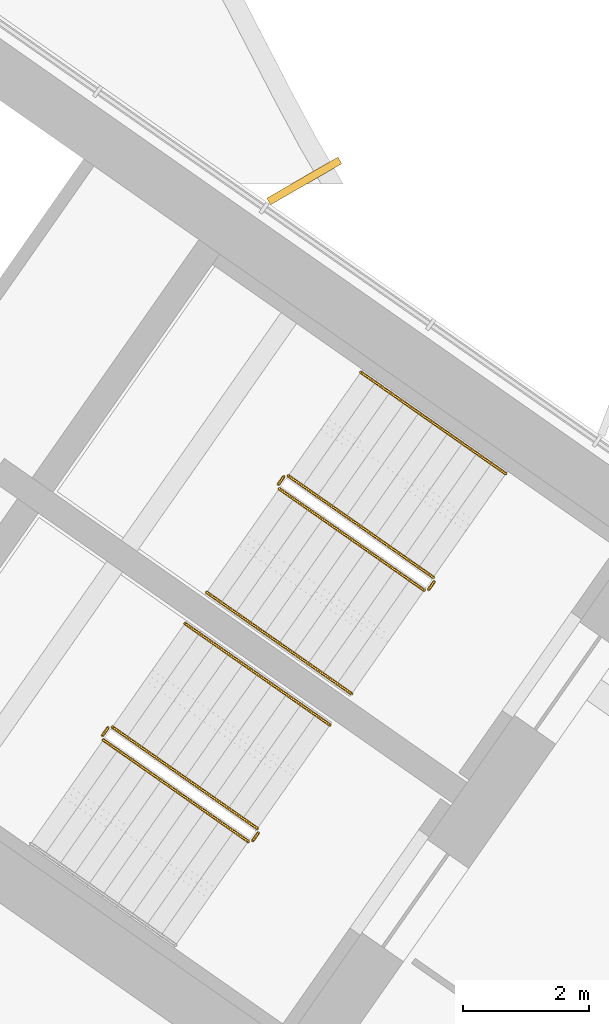
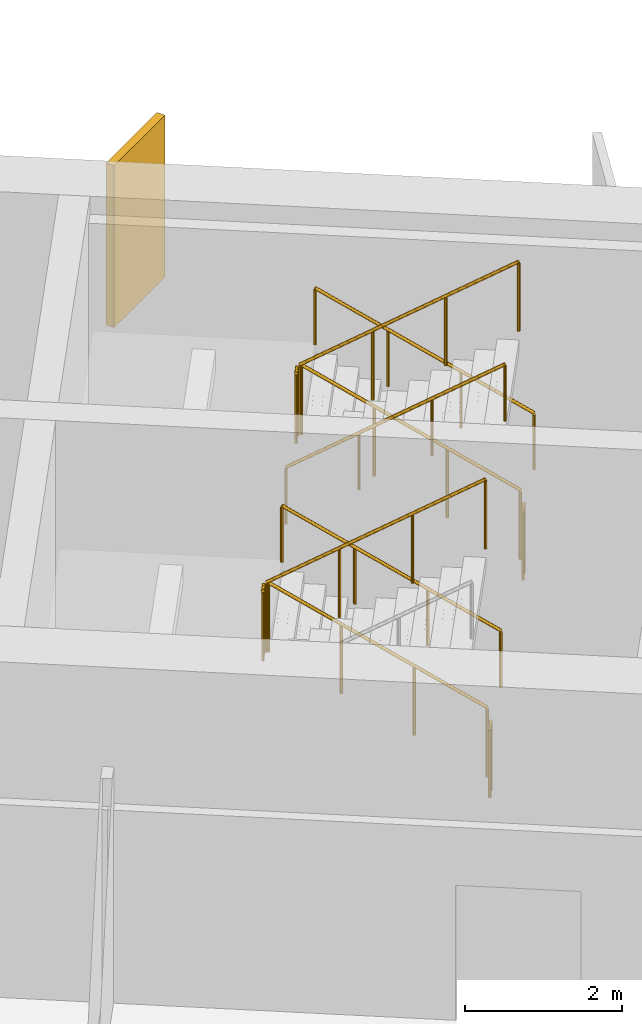
# One storey, part 22 of 23: 11 railings, 1 shading device.
"""IFC4 building model written with IfcOpenShell, lengths in metres."""

from ifc_helpers import new_model, si_unit, direction, frame, origin, origin_2d, place, context, subcontext, project, spatial, rectangle, circle, extrude, material, layer, layer_set, type_object, element, save


model = new_model("IFC4")

# Units and contexts
model_context = context("Model", 3, precision=1e-05, world=origin(), true_north=direction((0.0, 1.0)))
body_context = subcontext(model_context, "Body", "Model", "MODEL_VIEW")
ifc_project = project(units=[si_unit("LENGTHUNIT", "METRE"), si_unit("AREAUNIT", "SQUARE_METRE"), si_unit("VOLUMEUNIT", "CUBIC_METRE"), si_unit("PLANEANGLEUNIT", "RADIAN"), si_unit("MASSUNIT", "GRAM", prefix="KILO")], contexts=[model_context])

# Site, building, storey
site_placement = place(None, origin())
site = spatial("IfcSite", under=ifc_project, at=site_placement, CompositionType="ELEMENT")
building_placement = place(site_placement, origin())
building = spatial("IfcBuilding", under=site, at=building_placement, Name="Tel Ilan Convention Tower", CompositionType="ELEMENT")
storey_placement = place(building_placement, frame((0.0, 0.0, 198.300048828125)))
storey = spatial("IfcBuildingStorey", under=building, at=storey_placement, Name="L46", CompositionType="ELEMENT", Elevation=198.300048828125)

# Shading device
ifc_material_1 = material(Name="Aluminium, bronze anodised", Category="aluminium")
ifc_layer = layer(ifc_material_1, 0.1201171875)
ifc_layer_set = layer_set([ifc_layer], Name="FIN BRONZE 1300x120")
shading_device_type = type_object("IfcShadingDeviceType", Name="FIN BRONZE 1300x120", PredefinedType="USERDEFINED", material=ifc_layer_set)
shading_device_placement = place(storey_placement, frame((21.63818359375, -1.58349609375, 1.099853515625), z_axis=(0.0, 0.0, 1.0), x_axis=(0.866025403784, 0.5, 0.0)))
element("IfcShadingDevice", 1, at=shading_device_placement, inside=storey, type_object=shading_device_type, Name="FIN", ObjectType="FIN", PredefinedType="USERDEFINED", context=body_context, shape_type="SweptSolid", body=[
    extrude(rectangle(XDim=1.300048828125, YDim=0.1201171875, at=origin_2d()), origin(), (0.0, 0.0, 1.0), 2.52001953125),
])

# Railings
ifc_material_2 = material(Name="Stainless Steel Grade 316", Category="steel")
railing_type_1 = type_object("IfcRailingType", Name="Stainless Steel Stair Guard 1100 mm", PredefinedType="GUARDRAIL", material=ifc_material_2)
railing_1_placement = place(storey_placement, frame((23.6787109375, -7.8515625, 0.17724609375)))
element("IfcRailing", 2, at=railing_1_placement, inside=storey, type_object=railing_type_1, Name="L46 S3 stair guard 1", PredefinedType="GUARDRAIL", context=body_context, shape_type="SweptSolid", body=[
    extrude(circle(Radius=0.02392578125, at=origin_2d()), frame((0.0, 0.0, 1.076171875), z_axis=(-0.692084706163, 0.484621375041, 0.534940073605), x_axis=(-0.573591086599, -0.819141785879, 0.0)), (0.0, 0.0, 1.0), 3.313720703125),
    extrude(circle(Radius=0.02099609375, at=origin_2d()), origin(), (0.0, 0.0, 1.0), 1.052001953125),
    extrude(circle(Radius=0.02099609375, at=origin_2d()), frame((-0.764404296875, 0.535400390625, 0.5908203125)), (0.0, 0.0, 1.0), 1.052001953125),
    extrude(circle(Radius=0.02099609375, at=origin_2d()), frame((-1.529052734375, 1.070556640625, 1.181884765625)), (0.0, 0.0, 1.0), 1.052001953125),
    extrude(circle(Radius=0.02099609375, at=origin_2d()), frame((-2.29345703125, 1.60595703125, 1.772705078125)), (0.0, 0.0, 1.0), 1.052001953125),
])
railing_2_placement = place(storey_placement, frame((21.3154296875, -6.2578125, 1.949951171875)))
element("IfcRailing", 3, at=railing_2_placement, inside=storey, type_object=railing_type_1, Name="L46 S3 stair guard 2", PredefinedType="GUARDRAIL", context=body_context, shape_type="SweptSolid", body=[
    extrude(circle(Radius=0.02392578125, at=origin_2d()), frame((0.0, 0.0, 1.076171875), z_axis=(-0.573353020881, -0.819308436089, 0.0), x_axis=(0.819308436089, -0.573353020881, 0.0)), (0.0, 0.0, 1.0), 0.14990234375),
    extrude(circle(Radius=0.02099609375, at=origin_2d()), origin(), (0.0, 0.0, 1.0), 1.052001953125),
    extrude(circle(Radius=0.02099609375, at=origin_2d()), frame((-0.0859375, -0.122802734375, 0.0)), (0.0, 0.0, 1.0), 1.052001953125),
])
railing_3_placement = place(storey_placement, frame((21.24169921875, -6.4501953125, 2.127197265625)))
element("IfcRailing", 4, at=railing_3_placement, inside=storey, type_object=railing_type_1, Name="L46 S3 stair guard 3", PredefinedType="GUARDRAIL", context=body_context, shape_type="SweptSolid", body=[
    extrude(circle(Radius=0.02392578125, at=origin_2d()), frame((0.0, 0.0, 1.076171875), z_axis=(0.692098378994, -0.484653031975, 0.534893701956), x_axis=(0.573608623498, 0.819129505664, 0.0)), (0.0, 0.0, 1.0), 3.314208984375),
    extrude(circle(Radius=0.02099609375, at=origin_2d()), origin(), (0.0, 0.0, 1.0), 1.052001953125),
    extrude(circle(Radius=0.02099609375, at=origin_2d()), frame((0.7646484375, -0.535400390625, 0.5908203125)), (0.0, 0.0, 1.0), 1.052001953125),
    extrude(circle(Radius=0.02099609375, at=origin_2d()), frame((1.529052734375, -1.07080078125, 1.181884765625)), (0.0, 0.0, 1.0), 1.052001953125),
    extrude(circle(Radius=0.02099609375, at=origin_2d()), frame((2.293701171875, -1.606201171875, 1.772705078125)), (0.0, 0.0, 1.0), 1.052001953125),
])
railing_4_placement = place(storey_placement, frame((23.691162109375, -7.921142578125, 0.0)))
element("IfcRailing", 5, at=railing_4_placement, inside=storey, type_object=railing_type_1, Name="L46 S3 stair guard 4", PredefinedType="GUARDRAIL", context=body_context, shape_type="SweptSolid", body=[
    extrude(circle(Radius=0.02392578125, at=origin_2d()), frame((0.0, 0.0, 1.076171875), z_axis=(-0.574444878118, -0.818543268254, 0.0), x_axis=(0.818543268254, -0.574444878118, 0.0)), (0.0, 0.0, 1.0), 0.150146484375),
    extrude(circle(Radius=0.02099609375, at=origin_2d()), origin(), (0.0, 0.0, 1.0), 1.052001953125),
    extrude(circle(Radius=0.02099609375, at=origin_2d()), frame((-0.086181640625, -0.122802734375, 0.0)), (0.0, 0.0, 1.0), 1.052001953125),
])
railing_5_placement = place(storey_placement, frame((20.89697265625, -11.824462890625, 0.17724609375)))
element("IfcRailing", 6, at=railing_5_placement, inside=storey, type_object=railing_type_1, Name="L46 S4 stair guard 1", PredefinedType="GUARDRAIL", context=body_context, shape_type="SweptSolid", body=[
    extrude(circle(Radius=0.02392578125, at=origin_2d()), frame((0.0, 0.0, 1.076171875), z_axis=(-0.692123088272, 0.484596665743, 0.534912798717), x_axis=(-0.573550118428, -0.819170471667, 0.0)), (0.0, 0.0, 1.0), 3.31396484375),
    extrude(circle(Radius=0.02099609375, at=origin_2d()), origin(), (0.0, 0.0, 1.0), 1.052001953125),
    extrude(circle(Radius=0.02099609375, at=origin_2d()), frame((-0.7646484375, 0.535400390625, 0.5908203125)), (0.0, 0.0, 1.0), 1.052001953125),
    extrude(circle(Radius=0.02099609375, at=origin_2d()), frame((-1.529052734375, 1.070556640625, 1.181884765625)), (0.0, 0.0, 1.0), 1.052001953125),
    extrude(circle(Radius=0.02099609375, at=origin_2d()), frame((-2.293701171875, 1.60595703125, 1.772705078125)), (0.0, 0.0, 1.0), 1.052001953125),
])
railing_6_placement = place(storey_placement, frame((18.53369140625, -10.230712890625, 1.949951171875)))
element("IfcRailing", 7, at=railing_6_placement, inside=storey, type_object=railing_type_1, Name="L46 S4 stair guard 2", PredefinedType="GUARDRAIL", context=body_context, shape_type="SweptSolid", body=[
    extrude(circle(Radius=0.02392578125, at=origin_2d()), frame((0.0, 0.0, 1.076171875), z_axis=(-0.573353020881, -0.819308436089, 0.0), x_axis=(0.819308436089, -0.573353020881, 0.0)), (0.0, 0.0, 1.0), 0.14990234375),
    extrude(circle(Radius=0.02099609375, at=origin_2d()), origin(), (0.0, 0.0, 1.0), 1.052001953125),
    extrude(circle(Radius=0.02099609375, at=origin_2d()), frame((-0.0859375, -0.122802734375, 0.0)), (0.0, 0.0, 1.0), 1.052001953125),
])
railing_7_placement = place(storey_placement, frame((18.4599609375, -10.423095703125, 2.127197265625)))
element("IfcRailing", 8, at=railing_7_placement, inside=storey, type_object=railing_type_1, Name="L46 S4 stair guard 3", PredefinedType="GUARDRAIL", context=body_context, shape_type="SweptSolid", body=[
    extrude(circle(Radius=0.02392578125, at=origin_2d()), frame((0.0, 0.0, 1.076171875), z_axis=(0.692098378994, -0.484653031975, 0.534893701956), x_axis=(0.573608623498, 0.819129505664, 0.0)), (0.0, 0.0, 1.0), 3.314208984375),
    extrude(circle(Radius=0.02099609375, at=origin_2d()), origin(), (0.0, 0.0, 1.0), 1.052001953125),
    extrude(circle(Radius=0.02099609375, at=origin_2d()), frame((0.7646484375, -0.535400390625, 0.5908203125)), (0.0, 0.0, 1.0), 1.052001953125),
    extrude(circle(Radius=0.02099609375, at=origin_2d()), frame((1.529052734375, -1.07080078125, 1.181884765625)), (0.0, 0.0, 1.0), 1.052001953125),
    extrude(circle(Radius=0.02099609375, at=origin_2d()), frame((2.293701171875, -1.606201171875, 1.772705078125)), (0.0, 0.0, 1.0), 1.052001953125),
])
railing_8_placement = place(storey_placement, frame((20.9091796875, -11.89404296875, 0.0)))
element("IfcRailing", 9, at=railing_8_placement, inside=storey, type_object=railing_type_1, Name="L46 S4 stair guard 4", PredefinedType="GUARDRAIL", context=body_context, shape_type="SweptSolid", body=[
    extrude(circle(Radius=0.02392578125, at=origin_2d()), frame((0.0, 0.0, 1.076171875), z_axis=(-0.573353020881, -0.819308436089, 0.0), x_axis=(0.819308436089, -0.573353020881, 0.0)), (0.0, 0.0, 1.0), 0.14990234375),
    extrude(circle(Radius=0.02099609375, at=origin_2d()), origin(), (0.0, 0.0, 1.0), 1.052001953125),
    extrude(circle(Radius=0.02099609375, at=origin_2d()), frame((-0.0859375, -0.122802734375, 0.0)), (0.0, 0.0, 1.0), 1.052001953125),
])
ifc_material_3 = material(Name="Stainless Steel Grade 316", Category="steel")
railing_type_2 = type_object("IfcRailingType", Name="Stainless Steel Stair Handrail 900 mm", PredefinedType="HANDRAIL", material=ifc_material_3)
railing_9_placement = place(storey_placement, frame((24.825927734375, -6.213134765625, 0.17724609375)))
element("IfcRailing", 10, at=railing_9_placement, inside=storey, type_object=railing_type_2, Name="L46 S3 stair handrail 1", PredefinedType="HANDRAIL", context=body_context, shape_type="SweptSolid", body=[
    extrude(circle(Radius=0.02392578125, at=origin_2d()), frame((0.0, 0.0, 0.8759765625), z_axis=(-0.692123088272, 0.484596665743, 0.534912798717), x_axis=(-0.573550118428, -0.819170471667, 0.0)), (0.0, 0.0, 1.0), 3.31396484375),
    extrude(circle(Radius=0.02099609375, at=origin_2d()), origin(), (0.0, 0.0, 1.0), 0.851806640625),
    extrude(circle(Radius=0.02099609375, at=origin_2d()), frame((-0.7646484375, 0.535400390625, 0.5908203125)), (0.0, 0.0, 1.0), 0.851806640625),
    extrude(circle(Radius=0.02099609375, at=origin_2d()), frame((-1.529052734375, 1.070556640625, 1.181884765625)), (0.0, 0.0, 1.0), 0.851806640625),
    extrude(circle(Radius=0.02099609375, at=origin_2d()), frame((-2.293701171875, 1.60595703125, 1.772705078125)), (0.0, 0.0, 1.0), 0.851806640625),
])
railing_10_placement = place(storey_placement, frame((20.0947265625, -8.088623046875, 2.127197265625)))
element("IfcRailing", 11, at=railing_10_placement, inside=storey, type_object=railing_type_2, Name="L46 S3 stair handrail 2", PredefinedType="HANDRAIL", context=body_context, shape_type="SweptSolid", body=[
    extrude(circle(Radius=0.02392578125, at=origin_2d()), frame((0.0, 0.0, 0.8759765625), z_axis=(0.692084706163, -0.484621375041, 0.534940073605), x_axis=(0.573591086599, 0.819141785879, 0.0)), (0.0, 0.0, 1.0), 3.313720703125),
    extrude(circle(Radius=0.02099609375, at=origin_2d()), origin(), (0.0, 0.0, 1.0), 0.851806640625),
    extrude(circle(Radius=0.02099609375, at=origin_2d()), frame((0.764404296875, -0.535400390625, 0.5908203125)), (0.0, 0.0, 1.0), 0.851806640625),
    extrude(circle(Radius=0.02099609375, at=origin_2d()), frame((1.529052734375, -1.070556640625, 1.181884765625)), (0.0, 0.0, 1.0), 0.851806640625),
    extrude(circle(Radius=0.02099609375, at=origin_2d()), frame((2.29345703125, -1.60595703125, 1.772705078125)), (0.0, 0.0, 1.0), 0.851806640625),
])
railing_11_placement = place(storey_placement, frame((22.044189453125, -10.18603515625, 0.17724609375)))
element("IfcRailing", 12, at=railing_11_placement, inside=storey, type_object=railing_type_2, Name="L46 S4 stair handrail 1", PredefinedType="HANDRAIL", context=body_context, shape_type="SweptSolid", body=[
    extrude(circle(Radius=0.02392578125, at=origin_2d()), frame((0.0, 0.0, 0.8759765625), z_axis=(-0.692123088272, 0.484596665743, 0.534912798717), x_axis=(-0.573550118428, -0.819170471667, 0.0)), (0.0, 0.0, 1.0), 3.31396484375),
    extrude(circle(Radius=0.02099609375, at=origin_2d()), origin(), (0.0, 0.0, 1.0), 0.851806640625),
    extrude(circle(Radius=0.02099609375, at=origin_2d()), frame((-0.7646484375, 0.535400390625, 0.5908203125)), (0.0, 0.0, 1.0), 0.851806640625),
    extrude(circle(Radius=0.02099609375, at=origin_2d()), frame((-1.529052734375, 1.070556640625, 1.181884765625)), (0.0, 0.0, 1.0), 0.851806640625),
    extrude(circle(Radius=0.02099609375, at=origin_2d()), frame((-2.293701171875, 1.60595703125, 1.772705078125)), (0.0, 0.0, 1.0), 0.851806640625),
])

save(model, "model.ifc")
